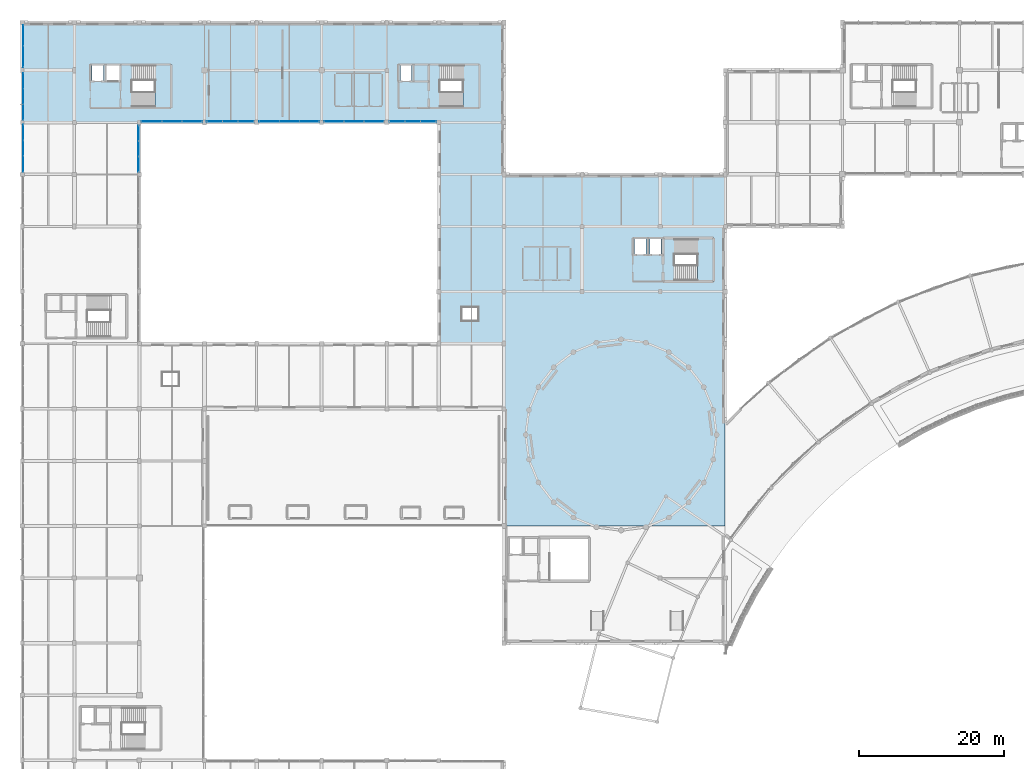
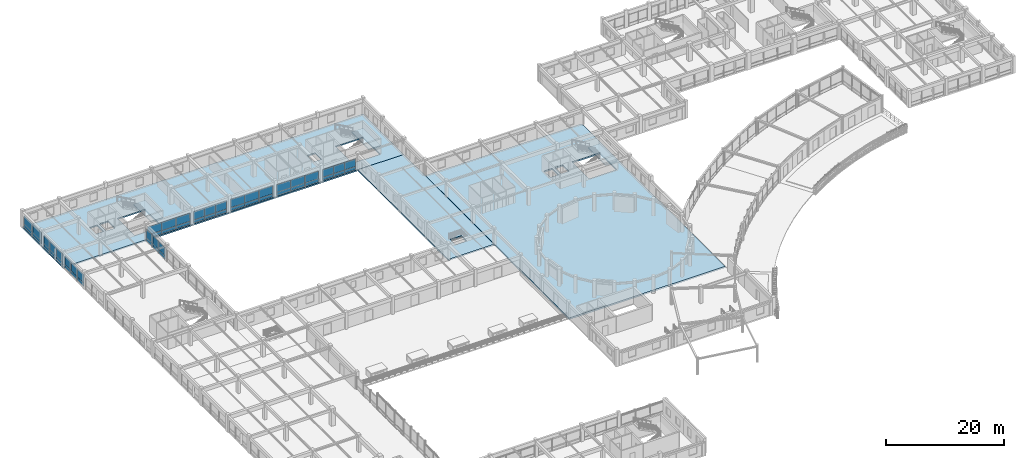
# One storey, part 45 of 74: 52 plates, 6 slabs, 12 elements without a shape of their own.
"""IFC4 building model written with IfcOpenShell, lengths in metres."""

from ifc_helpers import new_model, si_unit, direction, frame, frame_2d, origin, place, context, subcontext, project, spatial, polyline, rectangle, outline, extrude, material, layer, layer_set, type_object, element, aggregate, save


model = new_model("IFC4")

# Units and contexts
model_context = context("Model", 3, precision=1e-05, world=origin(), true_north=direction((0.0, 1.0)))
body_context = subcontext(model_context, "Body", "Model", "MODEL_VIEW")
ifc_project = project(units=[si_unit("LENGTHUNIT", "METRE"), si_unit("AREAUNIT", "SQUARE_METRE"), si_unit("VOLUMEUNIT", "CUBIC_METRE"), si_unit("PLANEANGLEUNIT", "RADIAN"), si_unit("MASSUNIT", "GRAM", prefix="KILO")], contexts=[model_context])

# Site, building, storey
site_placement = place(None, origin())
site = spatial("IfcSite", under=ifc_project, at=site_placement, CompositionType="ELEMENT")
building_placement = place(site_placement, origin())
building = spatial("IfcBuilding", under=site, at=building_placement, Name="Clarverna Civic Hall", CompositionType="ELEMENT")
storey_placement = place(building_placement, frame((0.0, 0.0, 9.60009765625)))
storey = spatial("IfcBuildingStorey", under=building, at=storey_placement, Name="L02", CompositionType="ELEMENT", Elevation=9.60009765625)

# Curtain wall, plates
ifc_material_1 = material(Name="Anodised Bronze Architectural Aluminium", Category="aluminium")
curtain_wall_type_1 = type_object("IfcCurtainWallType", Name="CW-01", PredefinedType="USERDEFINED", material=ifc_material_1)
curtain_wall_1_placement = place(storey_placement, origin())
curtain_wall_1 = element("IfcCurtainWall", 1, at=curtain_wall_1_placement, inside=storey, type_object=curtain_wall_type_1, Name="CW-01-027", ObjectType="UNITISED CURTAIN WALL", PredefinedType="USERDEFINED")
ifc_material_2 = material(Name="Solar-Control Argon Low-E Double Glazing", Category="glass")
ifc_layer_1 = layer(ifc_material_2, 0.031982421875)
ifc_layer_set_1 = layer_set([ifc_layer_1], Name="Solar-Control Argon Low-E Double Glazing")
plate_type_1 = type_object("IfcPlateType", Name="CWP-01", PredefinedType="CURTAIN_PANEL", material=ifc_layer_set_1)
plate_1_placement = place(storey_placement, frame((0.139892578125, 95.387939453125, 0.764892578125), z_axis=(0.0, 0.0, 1.0), x_axis=(0.0, 1.0, 0.0)))
plate_1 = element("IfcPlate", 2, at=plate_1_placement, type_object=plate_type_1, Name="CWP-01-236", PredefinedType="CURTAIN_PANEL", context=body_context, shape_type="SweptSolid", body=[
    extrude(rectangle(XDim=2.129638671875, YDim=0.031982421875, at=frame_2d((1.06494140625, 0.0))), origin(), (0.0, 0.0, 1.0), 1.764892578125),
])
plate_2_placement = place(storey_placement, frame((0.139892578125, 97.547607421875, 0.764892578125), z_axis=(0.0, 0.0, 1.0), x_axis=(0.0, 1.0, 0.0)))
plate_2 = element("IfcPlate", 3, at=plate_2_placement, type_object=plate_type_1, Name="CWP-01-237", PredefinedType="CURTAIN_PANEL", context=body_context, shape_type="SweptSolid", body=[
    extrude(rectangle(XDim=2.129638671875, YDim=0.031982421875, at=frame_2d((1.06494140625, 0.0))), origin(), (0.0, 0.0, 1.0), 1.764892578125),
])
plate_3_placement = place(storey_placement, frame((0.139892578125, 99.707275390625, 0.764892578125), z_axis=(0.0, 0.0, 1.0), x_axis=(0.0, 1.0, 0.0)))
plate_3 = element("IfcPlate", 4, at=plate_3_placement, type_object=plate_type_1, Name="CWP-01-238", PredefinedType="CURTAIN_PANEL", context=body_context, shape_type="SweptSolid", body=[
    extrude(rectangle(XDim=2.129638671875, YDim=0.031982421875, at=frame_2d((1.06494140625, 0.0))), origin(), (0.0, 0.0, 1.0), 1.764892578125),
])

curtain_wall_2_placement = place(storey_placement, origin())
curtain_wall_2 = element("IfcCurtainWall", 5, at=curtain_wall_2_placement, inside=storey, type_object=curtain_wall_type_1, Name="CW-01-028", ObjectType="UNITISED CURTAIN WALL", PredefinedType="USERDEFINED")
plate_4_placement = place(storey_placement, frame((0.139892578125, 102.56298828125, 0.764892578125), z_axis=(0.0, 0.0, 1.0), x_axis=(0.0, 1.0, 0.0)))
plate_4 = element("IfcPlate", 6, at=plate_4_placement, type_object=plate_type_1, Name="CWP-01-239", PredefinedType="CURTAIN_PANEL", context=body_context, shape_type="SweptSolid", body=[
    extrude(rectangle(XDim=2.113037109375, YDim=0.031982421875, at=frame_2d((1.056640625, 0.0))), origin(), (0.0, 0.0, 1.0), 1.695068359375),
])
plate_5_placement = place(storey_placement, frame((0.139892578125, 104.7060546875, 0.764892578125), z_axis=(0.0, 0.0, 1.0), x_axis=(0.0, 1.0, 0.0)))
plate_5 = element("IfcPlate", 7, at=plate_5_placement, type_object=plate_type_1, Name="CWP-01-240", PredefinedType="CURTAIN_PANEL", context=body_context, shape_type="SweptSolid", body=[
    extrude(rectangle(XDim=2.113037109375, YDim=0.031982421875, at=frame_2d((1.056640625, 0.0))), origin(), (0.0, 0.0, 1.0), 1.695068359375),
])
plate_6_placement = place(storey_placement, frame((0.139892578125, 106.84912109375, 0.764892578125), z_axis=(0.0, 0.0, 1.0), x_axis=(0.0, 1.0, 0.0)))
plate_6 = element("IfcPlate", 8, at=plate_6_placement, type_object=plate_type_1, Name="CWP-01-241", PredefinedType="CURTAIN_PANEL", context=body_context, shape_type="SweptSolid", body=[
    extrude(rectangle(XDim=2.11279296875, YDim=0.031982421875, at=frame_2d((1.056396484375, 0.0))), origin(), (0.0, 0.0, 1.0), 1.695068359375),
])

curtain_wall_3_placement = place(storey_placement, origin())
curtain_wall_3 = element("IfcCurtainWall", 9, at=curtain_wall_3_placement, inside=storey, type_object=curtain_wall_type_1, Name="CW-01-029", ObjectType="UNITISED CURTAIN WALL", PredefinedType="USERDEFINED")
plate_7_placement = place(storey_placement, frame((0.139892578125, 109.837890625, 0.764892578125), z_axis=(0.0, 0.0, 1.0), x_axis=(0.0, 1.0, 0.0)))
plate_7 = element("IfcPlate", 10, at=plate_7_placement, type_object=plate_type_1, Name="CWP-01-242", PredefinedType="CURTAIN_PANEL", context=body_context, shape_type="SweptSolid", body=[
    extrude(rectangle(XDim=2.8720703125, YDim=0.031982421875, at=frame_2d((1.43603515625, 0.0))), origin(), (0.0, 0.0, 1.0), 1.695068359375),
])
plate_8_placement = place(storey_placement, frame((0.139892578125, 112.739990234375, 0.764892578125), z_axis=(0.0, 0.0, 1.0), x_axis=(0.0, 1.0, 0.0)))
plate_8 = element("IfcPlate", 11, at=plate_8_placement, type_object=plate_type_1, Name="CWP-01-243", PredefinedType="CURTAIN_PANEL", context=body_context, shape_type="SweptSolid", body=[
    extrude(rectangle(XDim=2.8720703125, YDim=0.031982421875, at=frame_2d((1.43603515625, 0.0))), origin(), (0.0, 0.0, 1.0), 1.695068359375),
])

curtain_wall_type_2 = type_object("IfcCurtainWallType", Name="CW-04", PredefinedType="USERDEFINED", material=ifc_material_1)
curtain_wall_4_placement = place(storey_placement, origin())
curtain_wall_4 = element("IfcCurtainWall", 12, at=curtain_wall_4_placement, inside=storey, type_object=curtain_wall_type_2, Name="CW-04-027", ObjectType="UNITISED CURTAIN WALL", PredefinedType="USERDEFINED")
plate_9_placement = place(storey_placement, frame((57.2119140625, 102.340087890625, 0.764892578125), z_axis=(0.0, 0.0, 1.0), x_axis=(-1.0, 0.0, 0.0)))
plate_9 = element("IfcPlate", 13, at=plate_9_placement, type_object=plate_type_1, Name="CWP-01-362", PredefinedType="CURTAIN_PANEL", context=body_context, shape_type="SweptSolid", body=[
    extrude(rectangle(XDim=2.12109375, YDim=0.031982421875, at=frame_2d((1.060546875, 0.0))), origin(), (0.0, 0.0, 1.0), 1.544921875),
])
plate_10_placement = place(storey_placement, frame((55.060791015625, 102.340087890625, 0.764892578125), z_axis=(0.0, 0.0, 1.0), x_axis=(-1.0, 0.0, 0.0)))
plate_10 = element("IfcPlate", 14, at=plate_10_placement, type_object=plate_type_1, Name="CWP-01-363", PredefinedType="CURTAIN_PANEL", context=body_context, shape_type="SweptSolid", body=[
    extrude(rectangle(XDim=2.12158203125, YDim=0.031982421875, at=frame_2d((1.060791015625, 0.0))), origin(), (0.0, 0.0, 1.0), 1.544921875),
])
plate_11_placement = place(storey_placement, frame((52.9091796875, 102.340087890625, 0.764892578125), z_axis=(0.0, 0.0, 1.0), x_axis=(-1.0, 0.0, 0.0)))
plate_11 = element("IfcPlate", 15, at=plate_11_placement, type_object=plate_type_1, Name="CWP-01-364", PredefinedType="CURTAIN_PANEL", context=body_context, shape_type="SweptSolid", body=[
    extrude(rectangle(XDim=2.12109375, YDim=0.031982421875, at=frame_2d((1.060546875, 0.0))), origin(), (0.0, 0.0, 1.0), 1.544921875),
])

curtain_wall_5_placement = place(storey_placement, origin())
curtain_wall_5 = element("IfcCurtainWall", 16, at=curtain_wall_5_placement, inside=storey, type_object=curtain_wall_type_2, Name="CW-04-028", ObjectType="UNITISED CURTAIN WALL", PredefinedType="USERDEFINED")
plate_12_placement = place(storey_placement, frame((50.011962890625, 102.340087890625, 0.764892578125), z_axis=(0.0, 0.0, 1.0), x_axis=(-1.0, 0.0, 0.0)))
plate_12 = element("IfcPlate", 17, at=plate_12_placement, type_object=plate_type_1, Name="CWP-01-365", PredefinedType="CURTAIN_PANEL", context=body_context, shape_type="SweptSolid", body=[
    extrude(rectangle(XDim=2.729736328125, YDim=0.031982421875, at=frame_2d((1.36474609375, 0.0))), origin(), (0.0, 0.0, 1.0), 1.544921875),
])
plate_13_placement = place(storey_placement, frame((47.252197265625, 102.340087890625, 0.764892578125), z_axis=(0.0, 0.0, 1.0), x_axis=(-1.0, 0.0, 0.0)))
plate_13 = element("IfcPlate", 18, at=plate_13_placement, type_object=plate_type_1, Name="CWP-01-366", PredefinedType="CURTAIN_PANEL", context=body_context, shape_type="SweptSolid", body=[
    extrude(rectangle(XDim=2.7294921875, YDim=0.031982421875, at=frame_2d((1.36474609375, 0.0))), origin(), (0.0, 0.0, 1.0), 1.544921875),
])
plate_14_placement = place(storey_placement, frame((44.49267578125, 102.340087890625, 0.764892578125), z_axis=(0.0, 0.0, 1.0), x_axis=(-1.0, 0.0, 0.0)))
plate_14 = element("IfcPlate", 19, at=plate_14_placement, type_object=plate_type_1, Name="CWP-01-367", PredefinedType="CURTAIN_PANEL", context=body_context, shape_type="SweptSolid", body=[
    extrude(rectangle(XDim=2.729736328125, YDim=0.031982421875, at=frame_2d((1.36474609375, 0.0))), origin(), (0.0, 0.0, 1.0), 1.544921875),
])

curtain_wall_6_placement = place(storey_placement, origin())
curtain_wall_6 = element("IfcCurtainWall", 20, at=curtain_wall_6_placement, inside=storey, type_object=curtain_wall_type_2, Name="CW-04-029", ObjectType="UNITISED CURTAIN WALL", PredefinedType="USERDEFINED")
plate_15_placement = place(storey_placement, frame((41.037109375, 102.340087890625, 0.764892578125), z_axis=(0.0, 0.0, 1.0), x_axis=(-1.0, 0.0, 0.0)))
plate_15 = element("IfcPlate", 21, at=plate_15_placement, type_object=plate_type_1, Name="CWP-01-368", PredefinedType="CURTAIN_PANEL", context=body_context, shape_type="SweptSolid", body=[
    extrude(rectangle(XDim=2.729736328125, YDim=0.031982421875, at=frame_2d((1.36474609375, 0.0))), origin(), (0.0, 0.0, 1.0), 1.695068359375),
])
plate_16_placement = place(storey_placement, frame((38.27734375, 102.340087890625, 0.764892578125), z_axis=(0.0, 0.0, 1.0), x_axis=(-1.0, 0.0, 0.0)))
plate_16 = element("IfcPlate", 22, at=plate_16_placement, type_object=plate_type_1, Name="CWP-01-369", PredefinedType="CURTAIN_PANEL", context=body_context, shape_type="SweptSolid", body=[
    extrude(rectangle(XDim=2.729736328125, YDim=0.031982421875, at=frame_2d((1.36474609375, 0.0))), origin(), (0.0, 0.0, 1.0), 1.695068359375),
])
plate_17_placement = place(storey_placement, frame((35.517578125, 102.340087890625, 0.764892578125), z_axis=(0.0, 0.0, 1.0), x_axis=(-1.0, 0.0, 0.0)))
plate_17 = element("IfcPlate", 23, at=plate_17_placement, type_object=plate_type_1, Name="CWP-01-370", PredefinedType="CURTAIN_PANEL", context=body_context, shape_type="SweptSolid", body=[
    extrude(rectangle(XDim=2.7294921875, YDim=0.031982421875, at=frame_2d((1.36474609375, 0.0))), origin(), (0.0, 0.0, 1.0), 1.695068359375),
])

curtain_wall_7_placement = place(storey_placement, origin())
curtain_wall_7 = element("IfcCurtainWall", 24, at=curtain_wall_7_placement, inside=storey, type_object=curtain_wall_type_2, Name="CW-04-030", ObjectType="UNITISED CURTAIN WALL", PredefinedType="USERDEFINED")
plate_18_placement = place(storey_placement, frame((32.011962890625, 102.340087890625, 0.764892578125), z_axis=(0.0, 0.0, 1.0), x_axis=(-1.0, 0.0, 0.0)))
plate_18 = element("IfcPlate", 25, at=plate_18_placement, type_object=plate_type_1, Name="CWP-01-371", PredefinedType="CURTAIN_PANEL", context=body_context, shape_type="SweptSolid", body=[
    extrude(rectangle(XDim=2.137939453125, YDim=0.031982421875, at=frame_2d((1.06884765625, 0.0))), origin(), (0.0, 0.0, 1.0), 1.695068359375),
])
plate_19_placement = place(storey_placement, frame((29.843994140625, 102.340087890625, 0.764892578125), z_axis=(0.0, 0.0, 1.0), x_axis=(-1.0, 0.0, 0.0)))
plate_19 = element("IfcPlate", 26, at=plate_19_placement, type_object=plate_type_1, Name="CWP-01-372", PredefinedType="CURTAIN_PANEL", context=body_context, shape_type="SweptSolid", body=[
    extrude(rectangle(XDim=2.137939453125, YDim=0.031982421875, at=frame_2d((1.06884765625, 0.0))), origin(), (0.0, 0.0, 1.0), 1.695068359375),
])
plate_20_placement = place(storey_placement, frame((27.676025390625, 102.340087890625, 0.764892578125), z_axis=(0.0, 0.0, 1.0), x_axis=(-1.0, 0.0, 0.0)))
plate_20 = element("IfcPlate", 27, at=plate_20_placement, type_object=plate_type_1, Name="CWP-01-373", PredefinedType="CURTAIN_PANEL", context=body_context, shape_type="SweptSolid", body=[
    extrude(rectangle(XDim=2.137939453125, YDim=0.031982421875, at=frame_2d((1.06884765625, 0.0))), origin(), (0.0, 0.0, 1.0), 1.695068359375),
])

curtain_wall_8_placement = place(storey_placement, origin())
curtain_wall_8 = element("IfcCurtainWall", 28, at=curtain_wall_8_placement, inside=storey, type_object=curtain_wall_type_2, Name="CW-04-031", ObjectType="UNITISED CURTAIN WALL", PredefinedType="USERDEFINED")
plate_21_placement = place(storey_placement, frame((24.862060546875, 102.340087890625, 0.764892578125), z_axis=(0.0, 0.0, 1.0), x_axis=(-1.0, 0.0, 0.0)))
plate_21 = element("IfcPlate", 29, at=plate_21_placement, type_object=plate_type_1, Name="CWP-01-374", PredefinedType="CURTAIN_PANEL", context=body_context, shape_type="SweptSolid", body=[
    extrude(rectangle(XDim=2.754638671875, YDim=0.031982421875, at=frame_2d((1.37744140625, 0.0))), origin(), (0.0, 0.0, 1.0), 1.695068359375),
])
plate_22_placement = place(storey_placement, frame((22.077392578125, 102.340087890625, 0.764892578125), z_axis=(0.0, 0.0, 1.0), x_axis=(-1.0, 0.0, 0.0)))
plate_22 = element("IfcPlate", 30, at=plate_22_placement, type_object=plate_type_1, Name="CWP-01-375", PredefinedType="CURTAIN_PANEL", context=body_context, shape_type="SweptSolid", body=[
    extrude(rectangle(XDim=2.754638671875, YDim=0.031982421875, at=frame_2d((1.37744140625, 0.0))), origin(), (0.0, 0.0, 1.0), 1.695068359375),
])
plate_23_placement = place(storey_placement, frame((19.292724609375, 102.340087890625, 0.764892578125), z_axis=(0.0, 0.0, 1.0), x_axis=(-1.0, 0.0, 0.0)))
plate_23 = element("IfcPlate", 31, at=plate_23_placement, type_object=plate_type_1, Name="CWP-01-376", PredefinedType="CURTAIN_PANEL", context=body_context, shape_type="SweptSolid", body=[
    extrude(rectangle(XDim=2.754638671875, YDim=0.031982421875, at=frame_2d((1.37744140625, 0.0))), origin(), (0.0, 0.0, 1.0), 1.695068359375),
])

curtain_wall_9_placement = place(storey_placement, origin())
curtain_wall_9 = element("IfcCurtainWall", 32, at=curtain_wall_9_placement, inside=storey, type_object=curtain_wall_type_2, Name="CW-04-032", ObjectType="UNITISED CURTAIN WALL", PredefinedType="USERDEFINED")
plate_24_placement = place(storey_placement, frame((16.06005859375, 101.761962890625, 0.764892578125), z_axis=(0.0, 0.0, 1.0), x_axis=(0.0, -1.0, 0.0)))
plate_24 = element("IfcPlate", 33, at=plate_24_placement, type_object=plate_type_1, Name="CWP-01-377", PredefinedType="CURTAIN_PANEL", context=body_context, shape_type="SweptSolid", body=[
    extrude(rectangle(XDim=2.113037109375, YDim=0.031982421875, at=frame_2d((1.056640625, 0.0))), origin(), (0.0, 0.0, 1.0), 1.72509765625),
])
plate_25_placement = place(storey_placement, frame((16.06005859375, 99.618896484375, 0.764892578125), z_axis=(0.0, 0.0, 1.0), x_axis=(0.0, -1.0, 0.0)))
plate_25 = element("IfcPlate", 34, at=plate_25_placement, type_object=plate_type_1, Name="CWP-01-378", PredefinedType="CURTAIN_PANEL", context=body_context, shape_type="SweptSolid", body=[
    extrude(rectangle(XDim=2.11279296875, YDim=0.031982421875, at=frame_2d((1.056396484375, 0.0))), origin(), (0.0, 0.0, 1.0), 1.72509765625),
])
plate_26_placement = place(storey_placement, frame((16.06005859375, 97.47607421875, 0.764892578125), z_axis=(0.0, 0.0, 1.0), x_axis=(0.0, -1.0, 0.0)))
plate_26 = element("IfcPlate", 35, at=plate_26_placement, type_object=plate_type_1, Name="CWP-01-379", PredefinedType="CURTAIN_PANEL", context=body_context, shape_type="SweptSolid", body=[
    extrude(rectangle(XDim=2.113037109375, YDim=0.031982421875, at=frame_2d((1.056640625, 0.0))), origin(), (0.0, 0.0, 1.0), 1.72509765625),
])

# Plate
ifc_material_3 = material(Name="Insulated Anodised Bronze Spandrel Panel", Category="aluminium")
ifc_layer_2 = layer(ifc_material_3, 0.048095703125)
ifc_layer_set_2 = layer_set([ifc_layer_2], Name="Insulated Anodised Bronze Spandrel Panel")
plate_type_2 = type_object("IfcPlateType", Name="CWP-03", PredefinedType="CURTAIN_PANEL", material=ifc_layer_set_2)
plate_27_placement = place(storey_placement, frame((0.139892578125, 95.387939453125, 0.10986328125), z_axis=(0.0, 0.0, 1.0), x_axis=(0.0, 1.0, 0.0)))
plate_27 = element("IfcPlate", 36, at=plate_27_placement, type_object=plate_type_2, Name="CWP-03-238", PredefinedType="CURTAIN_PANEL", context=body_context, shape_type="SweptSolid", body=[
    extrude(rectangle(XDim=2.129638671875, YDim=0.048095703125, at=frame_2d((1.06494140625, 0.0))), origin(), (0.0, 0.0, 1.0), 0.625),
])

plate_28_placement = place(storey_placement, frame((0.139892578125, 97.547607421875, 0.10986328125), z_axis=(0.0, 0.0, 1.0), x_axis=(0.0, 1.0, 0.0)))
plate_28 = element("IfcPlate", 37, at=plate_28_placement, type_object=plate_type_2, Name="CWP-03-239", PredefinedType="CURTAIN_PANEL", context=body_context, shape_type="SweptSolid", body=[
    extrude(rectangle(XDim=2.129638671875, YDim=0.048095703125, at=frame_2d((1.06494140625, 0.0))), origin(), (0.0, 0.0, 1.0), 0.625),
])

plate_29_placement = place(storey_placement, frame((0.139892578125, 99.707275390625, 0.10986328125), z_axis=(0.0, 0.0, 1.0), x_axis=(0.0, 1.0, 0.0)))
plate_29 = element("IfcPlate", 38, at=plate_29_placement, type_object=plate_type_2, Name="CWP-03-240", PredefinedType="CURTAIN_PANEL", context=body_context, shape_type="SweptSolid", body=[
    extrude(rectangle(XDim=2.129638671875, YDim=0.048095703125, at=frame_2d((1.06494140625, 0.0))), origin(), (0.0, 0.0, 1.0), 0.625),
])

aggregate(curtain_wall_1, [plate_27, plate_1, plate_28, plate_2, plate_29, plate_3])

plate_30_placement = place(storey_placement, frame((0.139892578125, 102.56298828125, 0.10986328125), z_axis=(0.0, 0.0, 1.0), x_axis=(0.0, 1.0, 0.0)))
plate_30 = element("IfcPlate", 39, at=plate_30_placement, type_object=plate_type_2, Name="CWP-03-241", PredefinedType="CURTAIN_PANEL", context=body_context, shape_type="SweptSolid", body=[
    extrude(rectangle(XDim=2.113037109375, YDim=0.048095703125, at=frame_2d((1.056640625, 0.0))), origin(), (0.0, 0.0, 1.0), 0.625),
])

plate_31_placement = place(storey_placement, frame((0.139892578125, 104.7060546875, 0.10986328125), z_axis=(0.0, 0.0, 1.0), x_axis=(0.0, 1.0, 0.0)))
plate_31 = element("IfcPlate", 40, at=plate_31_placement, type_object=plate_type_2, Name="CWP-03-242", PredefinedType="CURTAIN_PANEL", context=body_context, shape_type="SweptSolid", body=[
    extrude(rectangle(XDim=2.113037109375, YDim=0.048095703125, at=frame_2d((1.056640625, 0.0))), origin(), (0.0, 0.0, 1.0), 0.625),
])

plate_32_placement = place(storey_placement, frame((0.139892578125, 106.84912109375, 0.10986328125), z_axis=(0.0, 0.0, 1.0), x_axis=(0.0, 1.0, 0.0)))
plate_32 = element("IfcPlate", 41, at=plate_32_placement, type_object=plate_type_2, Name="CWP-03-243", PredefinedType="CURTAIN_PANEL", context=body_context, shape_type="SweptSolid", body=[
    extrude(rectangle(XDim=2.11279296875, YDim=0.048095703125, at=frame_2d((1.056396484375, 0.0))), origin(), (0.0, 0.0, 1.0), 0.625),
])

aggregate(curtain_wall_2, [plate_30, plate_4, plate_31, plate_5, plate_32, plate_6])

plate_33_placement = place(storey_placement, frame((0.139892578125, 109.837890625, 0.10986328125), z_axis=(0.0, 0.0, 1.0), x_axis=(0.0, 1.0, 0.0)))
plate_33 = element("IfcPlate", 42, at=plate_33_placement, type_object=plate_type_2, Name="CWP-03-244", PredefinedType="CURTAIN_PANEL", context=body_context, shape_type="SweptSolid", body=[
    extrude(rectangle(XDim=2.8720703125, YDim=0.048095703125, at=frame_2d((1.43603515625, 0.0))), origin(), (0.0, 0.0, 1.0), 0.625),
])

plate_34_placement = place(storey_placement, frame((0.139892578125, 112.739990234375, 0.10986328125), z_axis=(0.0, 0.0, 1.0), x_axis=(0.0, 1.0, 0.0)))
plate_34 = element("IfcPlate", 43, at=plate_34_placement, type_object=plate_type_2, Name="CWP-03-245", PredefinedType="CURTAIN_PANEL", context=body_context, shape_type="SweptSolid", body=[
    extrude(rectangle(XDim=2.8720703125, YDim=0.048095703125, at=frame_2d((1.43603515625, 0.0))), origin(), (0.0, 0.0, 1.0), 0.625),
])

aggregate(curtain_wall_3, [plate_33, plate_7, plate_34, plate_8])

plate_35_placement = place(storey_placement, frame((57.2119140625, 102.340087890625, 0.10986328125), z_axis=(0.0, 0.0, 1.0), x_axis=(-1.0, 0.0, 0.0)))
plate_35 = element("IfcPlate", 44, at=plate_35_placement, type_object=plate_type_2, Name="CWP-03-364", PredefinedType="CURTAIN_PANEL", context=body_context, shape_type="SweptSolid", body=[
    extrude(rectangle(XDim=2.12109375, YDim=0.048095703125, at=frame_2d((1.060546875, 0.0))), origin(), (0.0, 0.0, 1.0), 0.625),
])

plate_36_placement = place(storey_placement, frame((55.060791015625, 102.340087890625, 0.10986328125), z_axis=(0.0, 0.0, 1.0), x_axis=(-1.0, 0.0, 0.0)))
plate_36 = element("IfcPlate", 45, at=plate_36_placement, type_object=plate_type_2, Name="CWP-03-365", PredefinedType="CURTAIN_PANEL", context=body_context, shape_type="SweptSolid", body=[
    extrude(rectangle(XDim=2.12158203125, YDim=0.048095703125, at=frame_2d((1.060791015625, 0.0))), origin(), (0.0, 0.0, 1.0), 0.625),
])

plate_37_placement = place(storey_placement, frame((52.9091796875, 102.340087890625, 0.10986328125), z_axis=(0.0, 0.0, 1.0), x_axis=(-1.0, 0.0, 0.0)))
plate_37 = element("IfcPlate", 46, at=plate_37_placement, type_object=plate_type_2, Name="CWP-03-366", PredefinedType="CURTAIN_PANEL", context=body_context, shape_type="SweptSolid", body=[
    extrude(rectangle(XDim=2.12109375, YDim=0.048095703125, at=frame_2d((1.060546875, 0.0))), origin(), (0.0, 0.0, 1.0), 0.625),
])

aggregate(curtain_wall_4, [plate_35, plate_9, plate_36, plate_10, plate_37, plate_11])

plate_38_placement = place(storey_placement, frame((50.011962890625, 102.340087890625, 0.10986328125), z_axis=(0.0, 0.0, 1.0), x_axis=(-1.0, 0.0, 0.0)))
plate_38 = element("IfcPlate", 47, at=plate_38_placement, type_object=plate_type_2, Name="CWP-03-367", PredefinedType="CURTAIN_PANEL", context=body_context, shape_type="SweptSolid", body=[
    extrude(rectangle(XDim=2.729736328125, YDim=0.048095703125, at=frame_2d((1.36474609375, 0.0))), origin(), (0.0, 0.0, 1.0), 0.625),
])

plate_39_placement = place(storey_placement, frame((47.252197265625, 102.340087890625, 0.10986328125), z_axis=(0.0, 0.0, 1.0), x_axis=(-1.0, 0.0, 0.0)))
plate_39 = element("IfcPlate", 48, at=plate_39_placement, type_object=plate_type_2, Name="CWP-03-368", PredefinedType="CURTAIN_PANEL", context=body_context, shape_type="SweptSolid", body=[
    extrude(rectangle(XDim=2.7294921875, YDim=0.048095703125, at=frame_2d((1.36474609375, 0.0))), origin(), (0.0, 0.0, 1.0), 0.625),
])

plate_40_placement = place(storey_placement, frame((44.49267578125, 102.340087890625, 0.10986328125), z_axis=(0.0, 0.0, 1.0), x_axis=(-1.0, 0.0, 0.0)))
plate_40 = element("IfcPlate", 49, at=plate_40_placement, type_object=plate_type_2, Name="CWP-03-369", PredefinedType="CURTAIN_PANEL", context=body_context, shape_type="SweptSolid", body=[
    extrude(rectangle(XDim=2.729736328125, YDim=0.048095703125, at=frame_2d((1.36474609375, 0.0))), origin(), (0.0, 0.0, 1.0), 0.625),
])

aggregate(curtain_wall_5, [plate_38, plate_12, plate_39, plate_13, plate_40, plate_14])

plate_41_placement = place(storey_placement, frame((41.037109375, 102.340087890625, 0.10986328125), z_axis=(0.0, 0.0, 1.0), x_axis=(-1.0, 0.0, 0.0)))
plate_41 = element("IfcPlate", 50, at=plate_41_placement, type_object=plate_type_2, Name="CWP-03-370", PredefinedType="CURTAIN_PANEL", context=body_context, shape_type="SweptSolid", body=[
    extrude(rectangle(XDim=2.729736328125, YDim=0.048095703125, at=frame_2d((1.36474609375, 0.0))), origin(), (0.0, 0.0, 1.0), 0.625),
])

plate_42_placement = place(storey_placement, frame((38.27734375, 102.340087890625, 0.10986328125), z_axis=(0.0, 0.0, 1.0), x_axis=(-1.0, 0.0, 0.0)))
plate_42 = element("IfcPlate", 51, at=plate_42_placement, type_object=plate_type_2, Name="CWP-03-371", PredefinedType="CURTAIN_PANEL", context=body_context, shape_type="SweptSolid", body=[
    extrude(rectangle(XDim=2.729736328125, YDim=0.048095703125, at=frame_2d((1.36474609375, 0.0))), origin(), (0.0, 0.0, 1.0), 0.625),
])

plate_43_placement = place(storey_placement, frame((35.517578125, 102.340087890625, 0.10986328125), z_axis=(0.0, 0.0, 1.0), x_axis=(-1.0, 0.0, 0.0)))
plate_43 = element("IfcPlate", 52, at=plate_43_placement, type_object=plate_type_2, Name="CWP-03-372", PredefinedType="CURTAIN_PANEL", context=body_context, shape_type="SweptSolid", body=[
    extrude(rectangle(XDim=2.7294921875, YDim=0.048095703125, at=frame_2d((1.36474609375, 0.0))), origin(), (0.0, 0.0, 1.0), 0.625),
])

aggregate(curtain_wall_6, [plate_41, plate_15, plate_42, plate_16, plate_43, plate_17])

plate_44_placement = place(storey_placement, frame((32.011962890625, 102.340087890625, 0.10986328125), z_axis=(0.0, 0.0, 1.0), x_axis=(-1.0, 0.0, 0.0)))
plate_44 = element("IfcPlate", 53, at=plate_44_placement, type_object=plate_type_2, Name="CWP-03-373", PredefinedType="CURTAIN_PANEL", context=body_context, shape_type="SweptSolid", body=[
    extrude(rectangle(XDim=2.137939453125, YDim=0.048095703125, at=frame_2d((1.06884765625, 0.0))), origin(), (0.0, 0.0, 1.0), 0.625),
])

plate_45_placement = place(storey_placement, frame((29.843994140625, 102.340087890625, 0.10986328125), z_axis=(0.0, 0.0, 1.0), x_axis=(-1.0, 0.0, 0.0)))
plate_45 = element("IfcPlate", 54, at=plate_45_placement, type_object=plate_type_2, Name="CWP-03-374", PredefinedType="CURTAIN_PANEL", context=body_context, shape_type="SweptSolid", body=[
    extrude(rectangle(XDim=2.137939453125, YDim=0.048095703125, at=frame_2d((1.06884765625, 0.0))), origin(), (0.0, 0.0, 1.0), 0.625),
])

plate_46_placement = place(storey_placement, frame((27.676025390625, 102.340087890625, 0.10986328125), z_axis=(0.0, 0.0, 1.0), x_axis=(-1.0, 0.0, 0.0)))
plate_46 = element("IfcPlate", 55, at=plate_46_placement, type_object=plate_type_2, Name="CWP-03-375", PredefinedType="CURTAIN_PANEL", context=body_context, shape_type="SweptSolid", body=[
    extrude(rectangle(XDim=2.137939453125, YDim=0.048095703125, at=frame_2d((1.06884765625, 0.0))), origin(), (0.0, 0.0, 1.0), 0.625),
])

aggregate(curtain_wall_7, [plate_44, plate_18, plate_45, plate_19, plate_46, plate_20])

plate_47_placement = place(storey_placement, frame((24.862060546875, 102.340087890625, 0.10986328125), z_axis=(0.0, 0.0, 1.0), x_axis=(-1.0, 0.0, 0.0)))
plate_47 = element("IfcPlate", 56, at=plate_47_placement, type_object=plate_type_2, Name="CWP-03-376", PredefinedType="CURTAIN_PANEL", context=body_context, shape_type="SweptSolid", body=[
    extrude(rectangle(XDim=2.754638671875, YDim=0.048095703125, at=frame_2d((1.37744140625, 0.0))), origin(), (0.0, 0.0, 1.0), 0.625),
])

plate_48_placement = place(storey_placement, frame((22.077392578125, 102.340087890625, 0.10986328125), z_axis=(0.0, 0.0, 1.0), x_axis=(-1.0, 0.0, 0.0)))
plate_48 = element("IfcPlate", 57, at=plate_48_placement, type_object=plate_type_2, Name="CWP-03-377", PredefinedType="CURTAIN_PANEL", context=body_context, shape_type="SweptSolid", body=[
    extrude(rectangle(XDim=2.754638671875, YDim=0.048095703125, at=frame_2d((1.37744140625, 0.0))), origin(), (0.0, 0.0, 1.0), 0.625),
])

plate_49_placement = place(storey_placement, frame((19.292724609375, 102.340087890625, 0.10986328125), z_axis=(0.0, 0.0, 1.0), x_axis=(-1.0, 0.0, 0.0)))
plate_49 = element("IfcPlate", 58, at=plate_49_placement, type_object=plate_type_2, Name="CWP-03-378", PredefinedType="CURTAIN_PANEL", context=body_context, shape_type="SweptSolid", body=[
    extrude(rectangle(XDim=2.754638671875, YDim=0.048095703125, at=frame_2d((1.37744140625, 0.0))), origin(), (0.0, 0.0, 1.0), 0.625),
])

aggregate(curtain_wall_8, [plate_47, plate_21, plate_48, plate_22, plate_49, plate_23])

plate_50_placement = place(storey_placement, frame((16.06005859375, 101.761962890625, 0.10986328125), z_axis=(0.0, 0.0, 1.0), x_axis=(0.0, -1.0, 0.0)))
plate_50 = element("IfcPlate", 59, at=plate_50_placement, type_object=plate_type_2, Name="CWP-03-379", PredefinedType="CURTAIN_PANEL", context=body_context, shape_type="SweptSolid", body=[
    extrude(rectangle(XDim=2.113037109375, YDim=0.048095703125, at=frame_2d((1.056640625, 0.0))), origin(), (0.0, 0.0, 1.0), 0.625),
])

plate_51_placement = place(storey_placement, frame((16.06005859375, 99.618896484375, 0.10986328125), z_axis=(0.0, 0.0, 1.0), x_axis=(0.0, -1.0, 0.0)))
plate_51 = element("IfcPlate", 60, at=plate_51_placement, type_object=plate_type_2, Name="CWP-03-380", PredefinedType="CURTAIN_PANEL", context=body_context, shape_type="SweptSolid", body=[
    extrude(rectangle(XDim=2.11279296875, YDim=0.048095703125, at=frame_2d((1.056396484375, 0.0))), origin(), (0.0, 0.0, 1.0), 0.625),
])

plate_52_placement = place(storey_placement, frame((16.06005859375, 97.47607421875, 0.10986328125), z_axis=(0.0, 0.0, 1.0), x_axis=(0.0, -1.0, 0.0)))
plate_52 = element("IfcPlate", 61, at=plate_52_placement, type_object=plate_type_2, Name="CWP-03-381", PredefinedType="CURTAIN_PANEL", context=body_context, shape_type="SweptSolid", body=[
    extrude(rectangle(XDim=2.113037109375, YDim=0.048095703125, at=frame_2d((1.056640625, 0.0))), origin(), (0.0, 0.0, 1.0), 0.625),
])

aggregate(curtain_wall_9, [plate_50, plate_24, plate_51, plate_25, plate_52, plate_26])

# Slabs
ifc_material_4 = material(Name="Concrete C30/37", Category="concrete")
ifc_layer_3 = layer(ifc_material_4, 0.320068359375)
ifc_layer_set_3 = layer_set([ifc_layer_3], Name="Concrete C30/37")
slab_type_1 = type_object("IfcSlabType", Name="SL-FL2", PredefinedType="FLOOR", material=ifc_layer_set_3)
slab_1_placement = place(storey_placement, frame((0.0, 0.0, -0.320068359375)))
element("IfcSlab", 62, at=slab_1_placement, inside=storey, type_object=slab_type_1, Name="SL-FL2-011", PredefinedType="FLOOR", context=body_context, shape_type="SweptSolid", body=[
    extrude(outline(polyline([(97.175048828125, 95.0), (66.625, 95.0), (66.625, 46.39990234375), (97.175048828125, 46.39990234375), (97.175048828125, 95.0)]), holes=[polyline([(90.14990234375, 80.320068359375), (95.550048828125, 80.320068359375), (95.550048828125, 86.080078125), (90.14990234375, 86.080078125), (90.14990234375, 80.320068359375)]), polyline([(84.669921875, 83.93994140625), (86.22998046875, 83.93994140625), (86.22998046875, 86.10009765625), (84.669921875, 86.10009765625), (84.669921875, 83.93994140625)]), polyline([(86.77001953125, 83.93994140625), (88.330078125, 83.93994140625), (88.330078125, 86.10009765625), (86.77001953125, 86.10009765625), (86.77001953125, 83.93994140625)])]), origin(), (0.0, 0.0, 1.0), 0.320068359375),
])
ifc_layer_4 = layer(ifc_material_4, 0.280029296875)
ifc_layer_set_4 = layer_set([ifc_layer_4], Name="Concrete C30/37")
slab_type_2 = type_object("IfcSlabType", Name="SL-FL4", PredefinedType="FLOOR", material=ifc_layer_set_4)
slab_2_placement = place(storey_placement, frame((0.0, 0.0, -0.280029296875)))
element("IfcSlab", 63, at=slab_2_placement, inside=storey, type_object=slab_type_2, Name="SL-FL4-010", PredefinedType="FLOOR", context=body_context, shape_type="SweptSolid", body=[
    extrude(outline(polyline([(0.0, 102.199951171875), (66.574951171875, 102.199951171875), (66.574951171875, 116.0), (0.0, 116.0), (0.0, 102.199951171875)]), holes=[polyline([(15.14990234375, 104.320068359375), (20.550048828125, 104.320068359375), (20.550048828125, 110.080078125), (15.14990234375, 110.080078125), (15.14990234375, 104.320068359375)]), polyline([(9.669921875, 107.93994140625), (11.22998046875, 107.93994140625), (11.22998046875, 110.10009765625), (9.669921875, 110.10009765625), (9.669921875, 107.93994140625)]), polyline([(11.669921875, 107.840087890625), (13.429931640625, 107.840087890625), (13.429931640625, 110.199951171875), (11.669921875, 110.199951171875), (11.669921875, 107.840087890625)]), polyline([(57.75, 104.320068359375), (63.14990234375, 104.320068359375), (63.14990234375, 110.080078125), (57.75, 110.080078125), (57.75, 104.320068359375)]), polyline([(52.27001953125, 107.93994140625), (53.830078125, 107.93994140625), (53.830078125, 110.10009765625), (52.27001953125, 110.10009765625), (52.27001953125, 107.93994140625)])]), origin(), (0.0, 0.0, 1.0), 0.280029296875),
])
slab_3_placement = place(storey_placement, frame((0.0, 0.0, -0.280029296875)))
element("IfcSlab", 64, at=slab_3_placement, inside=storey, type_object=slab_type_2, Name="SL-FL4-013", PredefinedType="FLOOR", context=body_context, shape_type="SweptSolid", body=[
    extrude(outline(polyline([(57.60009765625, 71.60009765625), (66.574951171875, 71.60009765625), (66.574951171875, 102.199951171875), (57.60009765625, 102.199951171875), (57.60009765625, 71.60009765625)]), holes=[polyline([(60.800048828125, 74.800048828125), (63.0, 74.800048828125), (63.0, 76.60009765625), (60.800048828125, 76.60009765625), (60.800048828125, 74.800048828125)])]), origin(), (0.0, 0.0, 1.0), 0.280029296875),
])

# Stair, slab
stair_type_1 = type_object("IfcStairType", Name="ST-H2", PredefinedType="HALF_TURN_STAIR", material=ifc_material_4)
stair_1_placement = place(storey_placement, origin())
stair_1 = element("IfcStair", 65, at=stair_1_placement, inside=storey, type_object=stair_type_1, Name="ST-H2:L02:0002", PredefinedType="HALF_TURN_STAIR")
ifc_layer_5 = layer(ifc_material_4, 0.199951171875)
ifc_layer_set_5 = layer_set([ifc_layer_5], Name="Concrete C30/37")
slab_type_3 = type_object("IfcSlabType", Name="SL-LD1", PredefinedType="LANDING", material=ifc_layer_set_5)
slab_4_placement = place(storey_placement, frame((0.0, 0.0, 1.599853515625)))
slab_4 = element("IfcSlab", 66, at=slab_4_placement, type_object=slab_type_3, Name="SL-LD1-020", PredefinedType="LANDING", context=body_context, shape_type="SweptSolid", body=[
    extrude(outline(polyline([(93.340087890625, 80.219970703125), (95.64990234375, 80.219970703125), (95.64990234375, 86.179931640625), (93.340087890625, 86.179931640625), (93.340087890625, 80.219970703125)])), origin(), (0.0, 0.0, 1.0), 0.199951171875),
])
aggregate(stair_1, [slab_4])

stair_type_2 = type_object("IfcStairType", Name="ST-H1", PredefinedType="HALF_TURN_STAIR", material=ifc_material_4)
stair_2_placement = place(storey_placement, origin())
stair_2 = element("IfcStair", 67, at=stair_2_placement, inside=storey, type_object=stair_type_2, Name="ST-H1:L02:0015", PredefinedType="HALF_TURN_STAIR")
slab_5_placement = place(storey_placement, frame((0.0, 0.0, 1.599853515625)))
slab_5 = element("IfcSlab", 68, at=slab_5_placement, type_object=slab_type_3, Name="SL-LD1-028", PredefinedType="LANDING", context=body_context, shape_type="SweptSolid", body=[
    extrude(outline(polyline([(18.340087890625, 104.219970703125), (20.64990234375, 104.219970703125), (20.64990234375, 110.179931640625), (18.340087890625, 110.179931640625), (18.340087890625, 104.219970703125)])), origin(), (0.0, 0.0, 1.0), 0.199951171875),
])
aggregate(stair_2, [slab_5])

stair_3_placement = place(storey_placement, origin())
stair_3 = element("IfcStair", 69, at=stair_3_placement, inside=storey, type_object=stair_type_2, Name="ST-H1:L02:0024", PredefinedType="HALF_TURN_STAIR")
slab_6_placement = place(storey_placement, frame((0.0, 0.0, 1.599853515625)))
slab_6 = element("IfcSlab", 70, at=slab_6_placement, type_object=slab_type_3, Name="SL-LD1-047", PredefinedType="LANDING", context=body_context, shape_type="SweptSolid", body=[
    extrude(outline(polyline([(60.93994140625, 104.219970703125), (63.25, 104.219970703125), (63.25, 110.179931640625), (60.93994140625, 110.179931640625), (60.93994140625, 104.219970703125)])), origin(), (0.0, 0.0, 1.0), 0.199951171875),
])
aggregate(stair_3, [slab_6])

save(model, "model.ifc")
